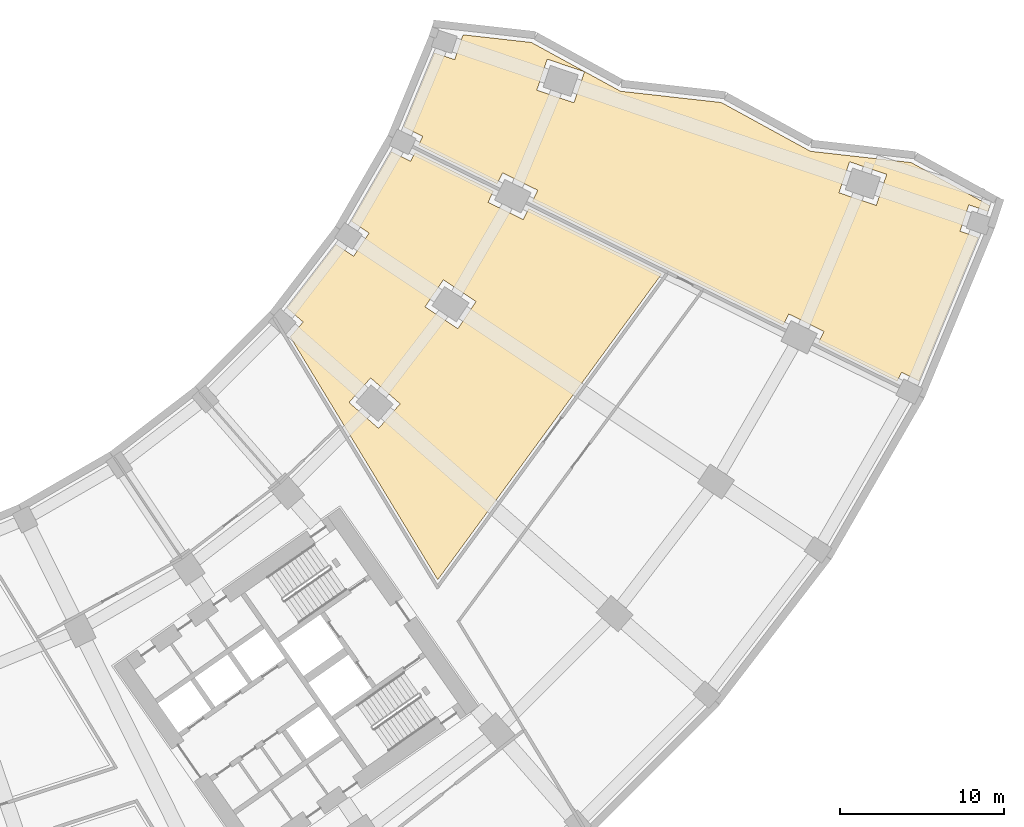
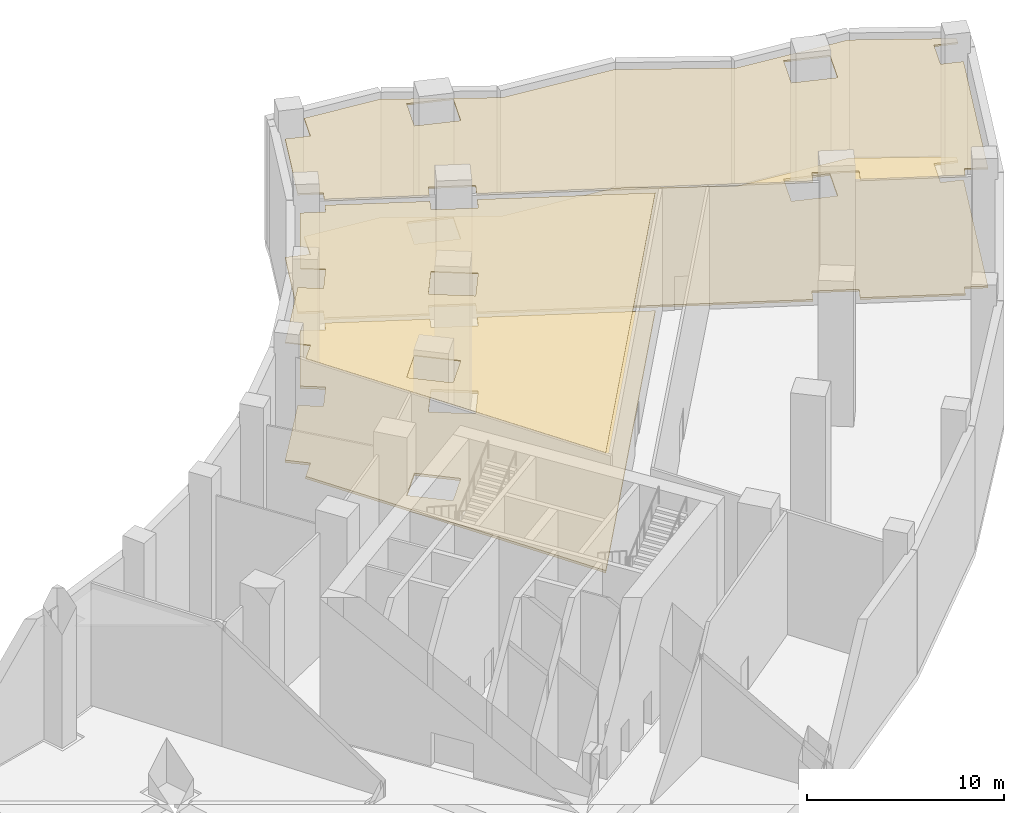
# One storey, part 19 of 19: 4 coverings.
"""IFC4 building model written with IfcOpenShell, lengths in metres."""

from ifc_helpers import new_model, si_unit, direction, frame, origin, place, context, subcontext, project, spatial, polyline, outline, extrude, material, layer, layer_set, type_object, element, save


model = new_model("IFC4")

# Units and contexts
model_context = context("Model", 3, precision=1e-05, world=origin(), true_north=direction((0.0, 1.0)))
body_context = subcontext(model_context, "Body", "Model", "MODEL_VIEW")
ifc_project = project(units=[si_unit("LENGTHUNIT", "METRE"), si_unit("AREAUNIT", "SQUARE_METRE"), si_unit("VOLUMEUNIT", "CUBIC_METRE"), si_unit("PLANEANGLEUNIT", "RADIAN"), si_unit("MASSUNIT", "GRAM", prefix="KILO")], contexts=[model_context])

# Site, building, storey
site_placement = place(None, origin())
site = spatial("IfcSite", under=ifc_project, at=site_placement, CompositionType="ELEMENT")
building_placement = place(site_placement, origin())
building = spatial("IfcBuilding", under=site, at=building_placement, Name="Qamariyya Broadcast Tower", CompositionType="ELEMENT")
storey_placement = place(building_placement, frame((0.0, 0.0, 9.0)))
storey = spatial("IfcBuildingStorey", under=building, at=storey_placement, Name="L01", CompositionType="ELEMENT", Elevation=9.0)

# Coverings
ifc_material_1 = material(Name="Floating timber studio floor", Category="wood")
ifc_layer_1 = layer(ifc_material_1, 0.1201171875)
ifc_layer_set_1 = layer_set([ifc_layer_1], Name="Floating studio floor 120")
covering_type_1 = type_object("IfcCoveringType", Name="Floating studio floor 120", PredefinedType="FLOORING", material=ifc_layer_set_1)
covering_1_placement = place(storey_placement, origin())
element("IfcCovering", 1, at=covering_1_placement, inside=storey, type_object=covering_type_1, Name="Flooring L01-F13", PredefinedType="FLOORING", context=body_context, shape_type="SweptSolid", body=[
    extrude(outline(polyline([(53.369140625, -16.368408203125), (58.81982421875, -19.3505859375), (64.9716796875, -20.03759765625), (70.420166015625, -23.019287109375), (76.573486328125, -23.706787109375), (81.388916015625, -26.34228515625), (81.274658203125, -26.69140625), (80.099365234375, -26.29248046875), (79.552978515625, -27.90234375), (80.682373046875, -28.28564453125), (77.052001953125, -37.050048828125), (75.982421875, -36.522705078125), (75.717041015625, -37.060791015625), (70.918701171875, -34.694580078125), (71.25048828125, -34.021728515625), (69.097900390625, -32.960205078125), (68.76611328125, -33.633056640625), (53.4296875, -26.06982421875), (53.761474609375, -25.397216796875), (51.60888671875, -24.335693359375), (51.277099609375, -25.00830078125), (46.47900390625, -22.64208984375), (46.744384765625, -22.10400390625), (45.574462890625, -21.527099609375), (47.447998046875, -17.004150390625), (48.68310546875, -17.42333984375), (49.19921875, -15.90283203125), (53.369140625, -16.368408203125)]), holes=[polyline([(74.438720703125, -26.324462890625), (75.08154296875, -24.4306640625), (72.808837890625, -23.6591796875), (72.166015625, -25.55322265625), (74.438720703125, -26.324462890625)]), polyline([(53.700927734375, -19.28515625), (55.9736328125, -20.056396484375), (56.616455078125, -18.16259765625), (54.34375, -17.39111328125), (53.700927734375, -19.28515625)])]), origin(), (0.0, 0.0, 1.0), 0.1201171875),
])
ifc_material_2 = material(Name="Raised access floor")
ifc_layer_2 = layer(ifc_material_2, 0.14990234375)
ifc_layer_set_2 = layer_set([ifc_layer_2], Name="Raised access floor 150")
covering_type_2 = type_object("IfcCoveringType", Name="Raised access floor 150", PredefinedType="FLOORING", material=ifc_layer_set_2)
covering_2_placement = place(storey_placement, origin())
element("IfcCovering", 2, at=covering_2_placement, inside=storey, type_object=covering_type_2, Name="Flooring L01-F12", PredefinedType="FLOORING", context=body_context, shape_type="SweptSolid", body=[
    extrude(outline(polyline([(38.63818359375, -34.3525390625), (39.4306640625, -33.44921875), (38.449951171875, -32.589111328125), (41.430419921875, -28.705078125), (42.5146484375, -29.4296875), (43.459228515625, -28.01611328125), (42.374755859375, -27.291748046875), (44.82275390625, -23.0517578125), (45.992431640625, -23.628662109375), (46.2578125, -23.090576171875), (51.055908203125, -25.456787109375), (50.724365234375, -26.12939453125), (52.876708984375, -27.19091796875), (53.20849609375, -26.518310546875), (61.3271484375, -30.52197265625), (47.6533203125, -49.193603515625), (38.63818359375, -34.3525390625)]), holes=[polyline([(48.875244140625, -33.860107421875), (49.986328125, -32.197265625), (47.990966796875, -30.86376953125), (46.8798828125, -32.52685546875), (48.875244140625, -33.860107421875)]), polyline([(44.03759765625, -39.949951171875), (45.356201171875, -38.4462890625), (43.5517578125, -36.86376953125), (42.233154296875, -38.367431640625), (44.03759765625, -39.949951171875)])]), origin(), (0.0, 0.0, 1.0), 0.14990234375),
])
ifc_material_3 = material(Name="Acoustic mineral fibre ceiling")
ifc_layer_3 = layer(ifc_material_3, 0.10009765625)
ifc_layer_set_3 = layer_set([ifc_layer_3], Name="Studio acoustic ceiling 100")
covering_type_3 = type_object("IfcCoveringType", Name="Studio acoustic ceiling 100", PredefinedType="CEILING", material=ifc_layer_set_3)
covering_3_placement = place(storey_placement, frame((0.0, 0.0, 7.35009765625)))
element("IfcCovering", 3, at=covering_3_placement, inside=storey, type_object=covering_type_3, Name="Ceiling L01-C13", PredefinedType="CEILING", context=body_context, shape_type="SweptSolid", body=[
    extrude(outline(polyline([(53.369140625, -16.368408203125), (58.81982421875, -19.3505859375), (64.9716796875, -20.03759765625), (70.420166015625, -23.019287109375), (76.573486328125, -23.706787109375), (81.388916015625, -26.34228515625), (81.274658203125, -26.69140625), (80.099365234375, -26.29248046875), (79.552978515625, -27.90234375), (80.682373046875, -28.28564453125), (77.052001953125, -37.050048828125), (75.982421875, -36.522705078125), (75.717041015625, -37.060791015625), (70.918701171875, -34.694580078125), (71.25048828125, -34.021728515625), (69.097900390625, -32.960205078125), (68.76611328125, -33.633056640625), (53.4296875, -26.06982421875), (53.761474609375, -25.397216796875), (51.60888671875, -24.335693359375), (51.277099609375, -25.00830078125), (46.47900390625, -22.64208984375), (46.744384765625, -22.10400390625), (45.574462890625, -21.527099609375), (47.447998046875, -17.004150390625), (48.68310546875, -17.42333984375), (49.19921875, -15.90283203125), (53.369140625, -16.368408203125)]), holes=[polyline([(74.438720703125, -26.324462890625), (75.08154296875, -24.4306640625), (72.808837890625, -23.6591796875), (72.166015625, -25.55322265625), (74.438720703125, -26.324462890625)]), polyline([(53.700927734375, -19.28515625), (55.9736328125, -20.056396484375), (56.616455078125, -18.16259765625), (54.34375, -17.39111328125), (53.700927734375, -19.28515625)])]), origin(), (0.0, 0.0, 1.0), 0.099853515625),
])
ifc_material_4 = material(Name="Perforated plasterboard ceiling")
ifc_layer_4 = layer(ifc_material_4, 0.06005859375)
ifc_layer_set_4 = layer_set([ifc_layer_4], Name="Suspended acoustic ceiling 60")
covering_type_4 = type_object("IfcCoveringType", Name="Suspended acoustic ceiling 60", PredefinedType="CEILING", material=ifc_layer_set_4)
covering_4_placement = place(storey_placement, frame((0.0, 0.0, 7.389892578125)))
element("IfcCovering", 4, at=covering_4_placement, inside=storey, type_object=covering_type_4, Name="Ceiling L01-C12", PredefinedType="CEILING", context=body_context, shape_type="SweptSolid", body=[
    extrude(outline(polyline([(38.63818359375, -34.3525390625), (39.4306640625, -33.44921875), (38.449951171875, -32.589111328125), (41.430419921875, -28.705078125), (42.5146484375, -29.4296875), (43.459228515625, -28.01611328125), (42.374755859375, -27.291748046875), (44.82275390625, -23.0517578125), (45.992431640625, -23.628662109375), (46.2578125, -23.090576171875), (51.055908203125, -25.456787109375), (50.724365234375, -26.12939453125), (52.876708984375, -27.19091796875), (53.20849609375, -26.518310546875), (61.3271484375, -30.52197265625), (47.6533203125, -49.193603515625), (38.63818359375, -34.3525390625)]), holes=[polyline([(48.875244140625, -33.860107421875), (49.986328125, -32.197265625), (47.990966796875, -30.86376953125), (46.8798828125, -32.52685546875), (48.875244140625, -33.860107421875)]), polyline([(44.03759765625, -39.949951171875), (45.356201171875, -38.4462890625), (43.5517578125, -36.86376953125), (42.233154296875, -38.367431640625), (44.03759765625, -39.949951171875)])]), origin(), (0.0, 0.0, 1.0), 0.06005859375),
])

save(model, "model.ifc")
